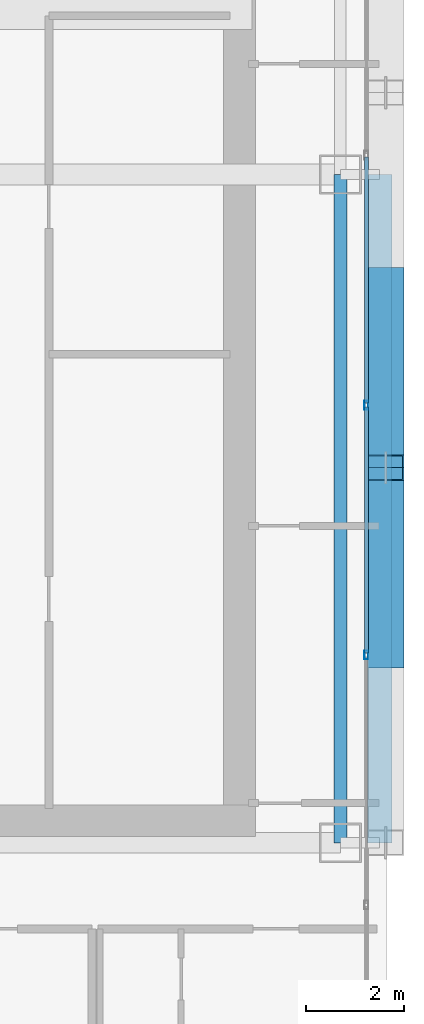
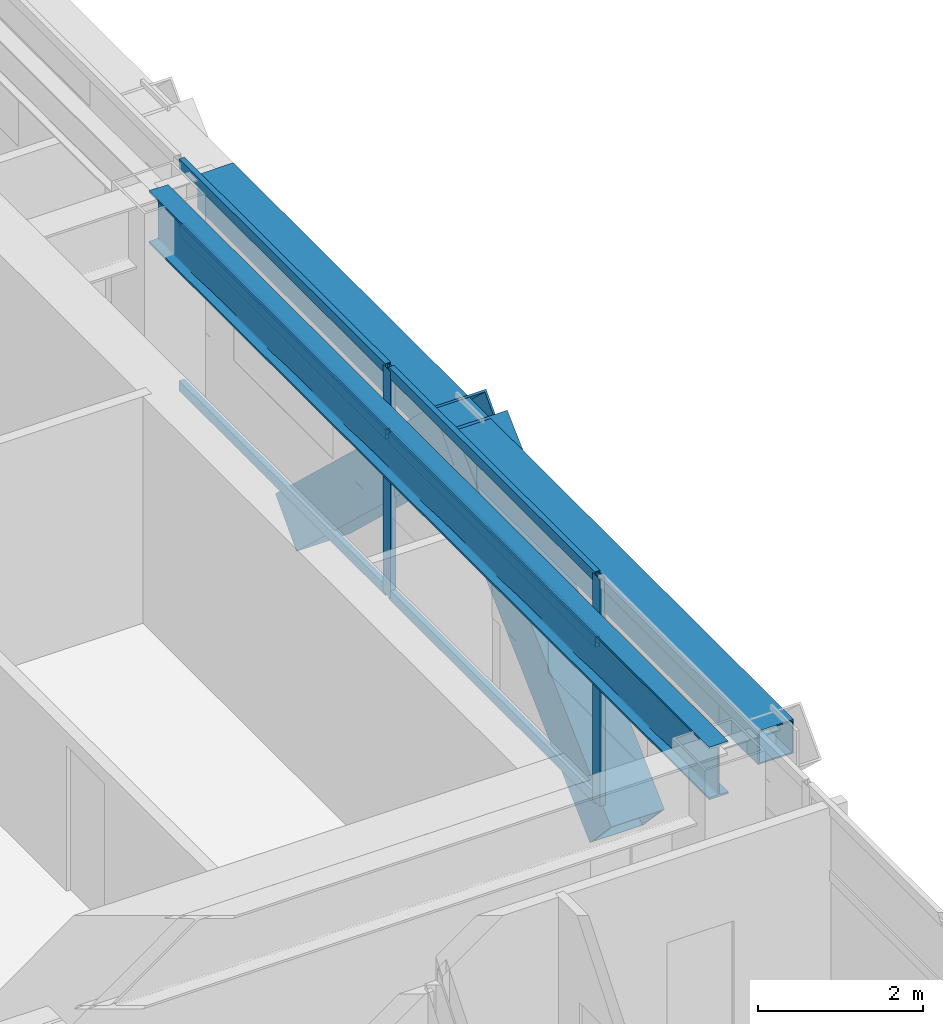
# One storey, part 13 of 35: 10 members, 2 beams, 1 element without a shape of its own.
"""IFC4 building model written with IfcOpenShell, lengths in metres."""

from ifc_helpers import new_model, si_unit, direction, frame, origin, origin_2d, place, context, subcontext, project, spatial, hollow_rectangle, i_section, extrude, source, transform, mapped, material, layer, layer_set, material_profile, profile_set, type_object, element, aggregate, save


model = new_model("IFC4")

# Units and contexts
model_context = context("Model", 3, precision=1e-05, world=origin(), true_north=direction((0.0, 1.0)))
body_context = subcontext(model_context, "Body", "Model", "MODEL_VIEW")
ifc_project = project(units=[si_unit("LENGTHUNIT", "METRE"), si_unit("AREAUNIT", "SQUARE_METRE"), si_unit("VOLUMEUNIT", "CUBIC_METRE"), si_unit("PLANEANGLEUNIT", "RADIAN"), si_unit("MASSUNIT", "GRAM", prefix="KILO")], contexts=[model_context])

# Site, building, storey
site_placement = place(None, origin())
site = spatial("IfcSite", under=ifc_project, at=site_placement, CompositionType="ELEMENT")
building_placement = place(site_placement, origin())
building = spatial("IfcBuilding", under=site, at=building_placement, Name="Ocotamira Hotel", CompositionType="ELEMENT")
storey_placement = place(building_placement, frame((0.0, 0.0, 122.39990234375)))
storey = spatial("IfcBuildingStorey", under=building, at=storey_placement, Name="L30", CompositionType="ELEMENT", Elevation=122.39990234375)

# Beams
ifc_material_1 = material(Name="Steel ASTM A992 Grade 50", Category="steel")
ifc_material_profile_1 = material_profile(ifc_material_1, i_section(OverallWidth=0.26611328125, OverallDepth=0.779052734375, WebThickness=0.0166015625, FlangeThickness=0.030029296875, FilletRadius=0.01806640625, at=origin_2d()), Name="W30X148")
ifc_profile_set_1 = profile_set([ifc_material_profile_1], Name="Steel ASTM A992 Grade 50")
beam_type_1 = type_object("IfcBeamType", Name="BM-GIRD-W30X148", PredefinedType="BEAM", material=ifc_profile_set_1)
shared_shape_1 = source(origin(), body_context, "Body", "SweptSolid", [
    extrude(i_section(OverallWidth=0.26611328125, OverallDepth=0.779052734375, WebThickness=0.0166015625, FlangeThickness=0.030029296875, FilletRadius=0.01806640625, at=origin_2d()), origin(), (0.0, 0.0, 1.0), 13.599853515625),
])
beam_1_placement = place(storey_placement, frame((55.050048828125, 14.550048828125, 2.970703125), z_axis=(0.0, 1.0, 0.0), x_axis=(-1.0, 0.0, 0.0)))
element("IfcBeam", 1, at=beam_1_placement, inside=storey, type_object=beam_type_1, Name="L30 Beam X55.05 Y14.55-28.15", PredefinedType="BEAM", context=body_context, shape_type="MappedRepresentation", body=[
    mapped(shared_shape_1, transform((0.0, 0.0, 0.0), scale=1.0)),
])
ifc_material_2 = material(Name="Steel ASTM A500 Grade C", Category="steel")
ifc_material_profile_2 = material_profile(ifc_material_2, hollow_rectangle(XDim=0.5, YDim=0.5, WallThickness=0.02001953125, at=origin_2d()), Name="HSS500X500X20")
ifc_profile_set_2 = profile_set([ifc_material_profile_2], Name="Steel ASTM A500 Grade C")
beam_type_2 = type_object("IfcBeamType", Name="BM-SPAN-HSS500", PredefinedType="USERDEFINED", material=ifc_profile_set_2)
shared_shape_2 = source(origin(), body_context, "Body", "SweptSolid", [
    extrude(hollow_rectangle(XDim=0.5, YDim=0.5, WallThickness=0.02001953125, at=origin_2d()), origin(), (0.0, 0.0, 1.0), 13.599853515625),
])
beam_2_placement = place(storey_placement, frame((55.85009765625, 14.550048828125, 3.110107421875), z_axis=(0.0, 1.0, 0.0), x_axis=(-1.0, 0.0, 0.0)))
element("IfcBeam", 2, at=beam_2_placement, inside=storey, type_object=beam_type_2, Name="L30 Edge Spandrel E Y14.55-28.15", ObjectType="SPANDREL", PredefinedType="USERDEFINED", context=body_context, shape_type="MappedRepresentation", body=[
    mapped(shared_shape_2, transform((0.0, 0.0, 0.0), scale=1.0)),
])

# Members
ifc_material_3 = material(Name="Pale-metal coated steel ASTM A913 Grade 65", Category="steel")
ifc_material_profile_3 = material_profile(ifc_material_3, hollow_rectangle(XDim=0.75, YDim=0.75, WallThickness=0.028076171875, at=origin_2d()), Name="BOX750X750X28")
ifc_profile_set_3 = profile_set([ifc_material_profile_3], Name="Pale-metal coated steel ASTM A913 Grade 65")
member_type_1 = type_object("IfcMemberType", Name="MEM-EXO-BOX750", PredefinedType="BRACE", material=ifc_profile_set_3)
shared_shape_3 = source(origin(), body_context, "Body", "SweptSolid", [
    extrude(hollow_rectangle(XDim=0.75, YDim=0.75, WallThickness=0.028076171875, at=origin_2d()), origin(), (0.0, 0.0, 1.0), 5.24658203125),
])
for number, where, z_axis, x_axis, name in (
    (3, (55.969970703125, 18.36669921875, -0.489990234375), (0.0, 0.727442733726, 0.686168397078), (-1.0, 0.0, 0.0), "L30 Exoskeleton Diagrid E0.2"),
    (4, (55.969970703125, 26.0, -0.489990234375), (0.0, -0.727442733726, 0.686168397078), (1.0, 0.0, 0.0), "L30 Exoskeleton Diagrid E1.1"),
):
    element("IfcMember", number, at=place(storey_placement, frame(where, z_axis=z_axis, x_axis=x_axis)), inside=storey, type_object=member_type_1, Name=name, PredefinedType="BRACE", context=body_context, shape_type="MappedRepresentation", body=[
        mapped(shared_shape_3, transform((0.0, 0.0, 0.0), scale=1.0)),
    ])

# Curtain wall, members
ifc_material_4 = material(Name="Anodised pale-metal aluminium and solar glass", Category="aluminium")
ifc_layer = layer(ifc_material_4, 0.179931640625)
ifc_layer_set = layer_set([ifc_layer], Name="Anodised pale-metal aluminium and solar glass")
curtain_wall_type = type_object("IfcCurtainWallType", Name="CW-SYS3-Z2", PredefinedType="NOTDEFINED", material=ifc_layer_set)
curtain_wall_placement = place(storey_placement, origin())
curtain_wall = element("IfcCurtainWall", 5, at=curtain_wall_placement, inside=storey, type_object=curtain_wall_type, Name="L30 Curtain Wall CW-3 CW-L30-E", PredefinedType="NOTDEFINED")
ifc_material_5 = material(Name="Anodised pale-metal aluminium 6063-T6", Category="aluminium")
ifc_material_profile_4 = material_profile(ifc_material_5, hollow_rectangle(XDim=0.074951171875, YDim=0.14990234375, WallThickness=0.006103515625, at=origin_2d()), Name="HSS150X75X6")
ifc_profile_set_4 = profile_set([ifc_material_profile_4], Name="Anodised pale-metal aluminium 6063-T6")
member_type_2 = type_object("IfcMemberType", Name="CWT-150X75", PredefinedType="USERDEFINED", material=ifc_profile_set_4)
shared_shape_4 = source(origin(), body_context, "Body", "SweptSolid", [
    extrude(hollow_rectangle(XDim=0.074951171875, YDim=0.14990234375, WallThickness=0.006103515625, at=origin_2d()), origin(), (0.0, 0.0, 1.0), 5.005859375),
])
member_1_placement = place(storey_placement, frame((55.580078125, 18.411376953125, 0.03759765625), z_axis=(0.0, 1.0, 0.0), x_axis=(-1.0, 0.0, 0.0)))
member_1 = element("IfcMember", 6, at=member_1_placement, type_object=member_type_2, Name="CW-3 transom 3.1", ObjectType="TRANSOM", PredefinedType="USERDEFINED", context=body_context, shape_type="MappedRepresentation", body=[
    mapped(shared_shape_4, transform((0.0, 0.0, 0.0), scale=1.0)),
])
member_2_placement = place(storey_placement, frame((55.580078125, 18.411376953125, 2.35009765625), z_axis=(0.0, 1.0, 0.0), x_axis=(-1.0, 0.0, 0.0)))
member_2 = element("IfcMember", 7, at=member_2_placement, type_object=member_type_2, Name="CW-3 transom 3.2", ObjectType="TRANSOM", PredefinedType="USERDEFINED", context=body_context, shape_type="MappedRepresentation", body=[
    mapped(shared_shape_4, transform((0.0, 0.0, 0.0), scale=1.0)),
])
member_3_placement = place(storey_placement, frame((55.580078125, 18.411376953125, 3.322509765625), z_axis=(0.0, 1.0, 0.0), x_axis=(-1.0, 0.0, 0.0)))
member_3 = element("IfcMember", 8, at=member_3_placement, type_object=member_type_2, Name="CW-3 transom 3.3", ObjectType="TRANSOM", PredefinedType="USERDEFINED", context=body_context, shape_type="MappedRepresentation", body=[
    mapped(shared_shape_4, transform((0.0, 0.0, 0.0), scale=1.0)),
])
member_4_placement = place(storey_placement, frame((55.580078125, 23.4970703125, 0.03759765625), z_axis=(0.0, 1.0, 0.0), x_axis=(-1.0, 0.0, 0.0)))
member_4 = element("IfcMember", 9, at=member_4_placement, type_object=member_type_2, Name="CW-3 transom 4.1", ObjectType="TRANSOM", PredefinedType="USERDEFINED", context=body_context, shape_type="MappedRepresentation", body=[
    mapped(shared_shape_4, transform((0.0, 0.0, 0.0), scale=1.0)),
])
member_5_placement = place(storey_placement, frame((55.580078125, 23.4970703125, 2.35009765625), z_axis=(0.0, 1.0, 0.0), x_axis=(-1.0, 0.0, 0.0)))
member_5 = element("IfcMember", 10, at=member_5_placement, type_object=member_type_2, Name="CW-3 transom 4.2", ObjectType="TRANSOM", PredefinedType="USERDEFINED", context=body_context, shape_type="MappedRepresentation", body=[
    mapped(shared_shape_4, transform((0.0, 0.0, 0.0), scale=1.0)),
])
member_6_placement = place(storey_placement, frame((55.580078125, 23.4970703125, 3.322509765625), z_axis=(0.0, 1.0, 0.0), x_axis=(-1.0, 0.0, 0.0)))
member_6 = element("IfcMember", 11, at=member_6_placement, type_object=member_type_2, Name="CW-3 transom 4.3", ObjectType="TRANSOM", PredefinedType="USERDEFINED", context=body_context, shape_type="MappedRepresentation", body=[
    mapped(shared_shape_4, transform((0.0, 0.0, 0.0), scale=1.0)),
])
ifc_material_profile_5 = material_profile(ifc_material_5, hollow_rectangle(XDim=0.080078125, YDim=0.179931640625, WallThickness=0.006103515625, at=origin_2d()), Name="HSS180X80X6")
ifc_profile_set_5 = profile_set([ifc_material_profile_5], Name="Anodised pale-metal aluminium 6063-T6")
member_type_3 = type_object("IfcMemberType", Name="CWM-180X75", PredefinedType="MULLION", material=ifc_profile_set_5)
shared_shape_5 = source(origin(), body_context, "Body", "SweptSolid", [
    extrude(hollow_rectangle(XDim=0.080078125, YDim=0.179931640625, WallThickness=0.006103515625, at=origin_2d()), origin(), (0.0, 0.0, 1.0), 3.360107421875),
])
member_7_placement = place(storey_placement, frame((55.580078125, 18.371337890625, 0.0), z_axis=(0.0, 0.0, 1.0), x_axis=(-1.0, 0.0, 0.0)))
member_7 = element("IfcMember", 12, at=member_7_placement, type_object=member_type_3, Name="CW-3 mullion 3", PredefinedType="MULLION", context=body_context, shape_type="MappedRepresentation", body=[
    mapped(shared_shape_5, transform((0.0, 0.0, 0.0), scale=1.0)),
])
member_8_placement = place(storey_placement, frame((55.580078125, 23.45703125, 0.0), z_axis=(0.0, 0.0, 1.0), x_axis=(-1.0, 0.0, 0.0)))
member_8 = element("IfcMember", 13, at=member_8_placement, type_object=member_type_3, Name="CW-3 mullion 4", PredefinedType="MULLION", context=body_context, shape_type="MappedRepresentation", body=[
    mapped(shared_shape_5, transform((0.0, 0.0, 0.0), scale=1.0)),
])
aggregate(curtain_wall, [member_7, member_8, member_1, member_2, member_3, member_4, member_5, member_6])

save(model, "model.ifc")
